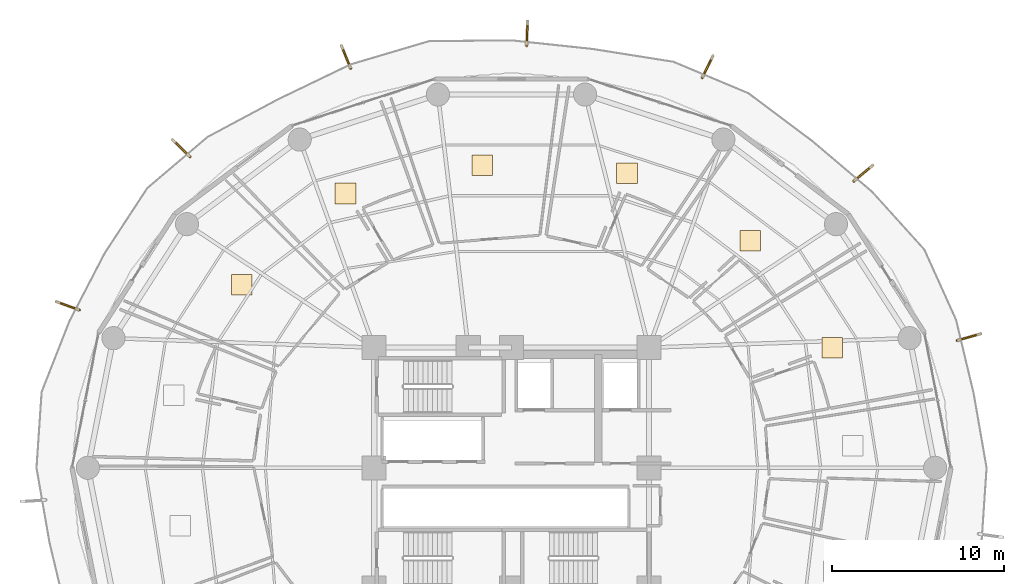
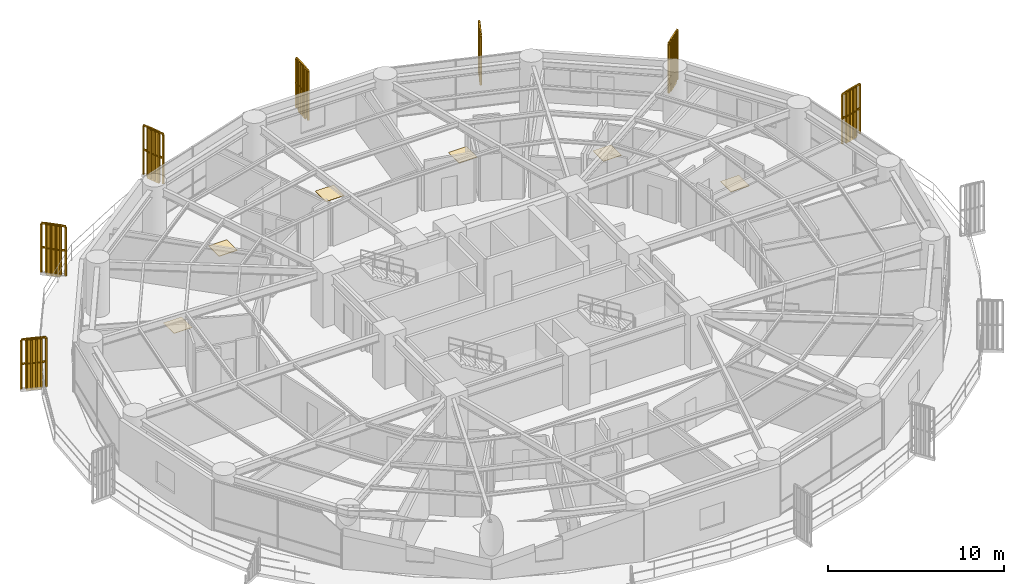
# One storey, part 34 of 34: 7 railings, 7 shading devices, 6 coverings.
"""IFC4 building model written with IfcOpenShell, lengths in metres."""

from ifc_helpers import new_model, si_unit, direction, frame, origin, origin_2d, place, context, subcontext, project, spatial, polyline, rectangle, outline, extrude, source, transform, mapped, material, layer, layer_set, type_object, element, save


model = new_model("IFC4")

# Units and contexts
model_context = context("Model", 3, precision=1e-05, world=origin(), true_north=direction((0.0, 1.0)))
body_context = subcontext(model_context, "Body", "Model", "MODEL_VIEW")
ifc_project = project(units=[si_unit("LENGTHUNIT", "METRE"), si_unit("AREAUNIT", "SQUARE_METRE"), si_unit("VOLUMEUNIT", "CUBIC_METRE"), si_unit("PLANEANGLEUNIT", "RADIAN"), si_unit("MASSUNIT", "GRAM", prefix="KILO")], contexts=[model_context])

# Site, building, storey
site_placement = place(None, origin())
site = spatial("IfcSite", under=ifc_project, at=site_placement, CompositionType="ELEMENT")
building_placement = place(site_placement, origin())
building = spatial("IfcBuilding", under=site, at=building_placement, Name="Kelanora Arch Commons", CompositionType="ELEMENT")
storey_placement = place(building_placement, frame((0.0, 0.0, 76.35009765625)))
storey = spatial("IfcBuildingStorey", under=building, at=storey_placement, Name="L19", CompositionType="ELEMENT", Elevation=76.35009765625)

# Railings
ifc_material_1 = material(Name="Anodised bronze vertical shading fin rib assembly")
railing_type = type_object("IfcRailingType", Name="RAIL-FIN-BRZ", PredefinedType="BALUSTRADE", material=ifc_material_1)
railing_1_placement = place(storey_placement, frame((93.94189453125, 74.699951171875, -0.02001953125)))
element("IfcRailing", 1, at=railing_1_placement, inside=storey, type_object=railing_type, Name="Sweeping Bronze Vertical Fin Blade L19-00", PredefinedType="BALUSTRADE", context=body_context, shape_type="SweptSolid", body=[
    extrude(outline(polyline([(0.06982421875, 0.0), (0.034912109375, 0.060546875), (-0.034912109375, 0.060546875), (-0.06982421875, 0.0), (-0.034912109375, -0.060546875), (0.034912109375, -0.060546875), (0.06982421875, 0.0)])), frame((0.0, 0.0, 3.419921875), z_axis=(0.766595437689, 0.642130387783, 0.0), x_axis=(-0.642130387783, 0.766595437689, 0.0)), (0.0, 0.0, 1.0), 1.429931640625),
    extrude(outline(polyline([(0.06982421875, 0.0), (0.034912109375, 0.060546875), (-0.034912109375, 0.060546875), (-0.06982421875, 0.0), (-0.034912109375, -0.060546875), (0.034912109375, -0.060546875), (0.06982421875, 0.0)])), frame((0.0, 0.0, 1.7451171875), z_axis=(0.766595437689, 0.642130387783, 0.0), x_axis=(-0.642130387783, 0.766595437689, 0.0)), (0.0, 0.0, 1.0), 1.429931640625),
    extrude(outline(polyline([(0.080078125, 0.0), (0.0400390625, 0.0693359375), (-0.0400390625, 0.0693359375), (-0.080078125, 0.0), (-0.0400390625, -0.0693359375), (0.0400390625, -0.0693359375), (0.080078125, 0.0)])), origin(), (0.0, 0.0, 1.0), 3.35009765625),
    extrude(outline(polyline([(0.080078125, 0.0), (0.0400390625, 0.0693359375), (-0.0400390625, 0.0693359375), (-0.080078125, 0.0), (-0.0400390625, -0.0693359375), (0.0400390625, -0.0693359375), (0.080078125, 0.0)])), frame((0.21923828125, 0.18359375, 0.0)), (0.0, 0.0, 1.0), 3.35009765625),
    extrude(outline(polyline([(0.080078125, 0.0), (0.0400390625, 0.0693359375), (-0.0400390625, 0.0693359375), (-0.080078125, 0.0), (-0.0400390625, -0.0693359375), (0.0400390625, -0.0693359375), (0.080078125, 0.0)])), frame((0.4384765625, 0.3671875, 0.0)), (0.0, 0.0, 1.0), 3.35009765625),
    extrude(outline(polyline([(0.080078125, 0.0), (0.0400390625, 0.0693359375), (-0.0400390625, 0.0693359375), (-0.080078125, 0.0), (-0.0400390625, -0.0693359375), (0.0400390625, -0.0693359375), (0.080078125, 0.0)])), frame((0.65771484375, 0.551025390625, 0.0)), (0.0, 0.0, 1.0), 3.35009765625),
    extrude(outline(polyline([(0.080078125, 0.0), (0.0400390625, 0.0693359375), (-0.0400390625, 0.0693359375), (-0.080078125, 0.0), (-0.0400390625, -0.0693359375), (0.0400390625, -0.0693359375), (0.080078125, 0.0)])), frame((0.876953125, 0.734619140625, 0.0)), (0.0, 0.0, 1.0), 3.35009765625),
    extrude(outline(polyline([(0.080078125, 0.0), (0.0400390625, 0.0693359375), (-0.0400390625, 0.0693359375), (-0.080078125, 0.0), (-0.0400390625, -0.0693359375), (0.0400390625, -0.0693359375), (0.080078125, 0.0)])), frame((1.09619140625, 0.918212890625, 0.0)), (0.0, 0.0, 1.0), 3.35009765625),
])
railing_2_placement = place(storey_placement, frame((85.10595703125, 80.714111328125, -0.02001953125)))
element("IfcRailing", 2, at=railing_2_placement, inside=storey, type_object=railing_type, Name="Sweeping Bronze Vertical Fin Blade L19-01", PredefinedType="BALUSTRADE", context=body_context, shape_type="SweptSolid", body=[
    extrude(outline(polyline([(0.06982421875, 0.0), (0.034912109375, 0.060546875), (-0.034912109375, 0.060546875), (-0.06982421875, 0.0), (-0.034912109375, -0.060546875), (0.034912109375, -0.060546875), (0.06982421875, 0.0)])), frame((0.0, 0.0, 3.419921875), z_axis=(0.439274433296, 0.898352921881, 0.0), x_axis=(-0.898352921881, 0.439274433296, 0.0)), (0.0, 0.0, 1.0), 1.429931640625),
    extrude(outline(polyline([(0.06982421875, 0.0), (0.034912109375, 0.060546875), (-0.034912109375, 0.060546875), (-0.06982421875, 0.0), (-0.034912109375, -0.060546875), (0.034912109375, -0.060546875), (0.06982421875, 0.0)])), frame((0.0, 0.0, 1.7451171875), z_axis=(0.439274433296, 0.898352921881, 0.0), x_axis=(-0.898352921881, 0.439274433296, 0.0)), (0.0, 0.0, 1.0), 1.429931640625),
    extrude(outline(polyline([(0.080078125, 0.0), (0.0400390625, 0.0693359375), (-0.0400390625, 0.0693359375), (-0.080078125, 0.0), (-0.0400390625, -0.0693359375), (0.0400390625, -0.0693359375), (0.080078125, 0.0)])), origin(), (0.0, 0.0, 1.0), 3.35009765625),
    extrude(outline(polyline([(0.080078125, 0.0), (0.0400390625, 0.0693359375), (-0.0400390625, 0.0693359375), (-0.080078125, 0.0), (-0.0400390625, -0.0693359375), (0.0400390625, -0.0693359375), (0.080078125, 0.0)])), frame((0.125732421875, 0.2568359375, 0.0)), (0.0, 0.0, 1.0), 3.35009765625),
    extrude(outline(polyline([(0.080078125, 0.0), (0.0400390625, 0.0693359375), (-0.0400390625, 0.0693359375), (-0.080078125, 0.0), (-0.0400390625, -0.0693359375), (0.0400390625, -0.0693359375), (0.080078125, 0.0)])), frame((0.251220703125, 0.513916015625, 0.0)), (0.0, 0.0, 1.0), 3.35009765625),
    extrude(outline(polyline([(0.080078125, 0.0), (0.0400390625, 0.0693359375), (-0.0400390625, 0.0693359375), (-0.080078125, 0.0), (-0.0400390625, -0.0693359375), (0.0400390625, -0.0693359375), (0.080078125, 0.0)])), frame((0.376953125, 0.770751953125, 0.0)), (0.0, 0.0, 1.0), 3.35009765625),
    extrude(outline(polyline([(0.080078125, 0.0), (0.0400390625, 0.0693359375), (-0.0400390625, 0.0693359375), (-0.080078125, 0.0), (-0.0400390625, -0.0693359375), (0.0400390625, -0.0693359375), (0.080078125, 0.0)])), frame((0.50244140625, 1.02783203125, 0.0)), (0.0, 0.0, 1.0), 3.35009765625),
    extrude(outline(polyline([(0.080078125, 0.0), (0.0400390625, 0.0693359375), (-0.0400390625, 0.0693359375), (-0.080078125, 0.0), (-0.0400390625, -0.0693359375), (0.0400390625, -0.0693359375), (0.080078125, 0.0)])), frame((0.628173828125, 1.28466796875, 0.0)), (0.0, 0.0, 1.0), 3.35009765625),
])
railing_3_placement = place(storey_placement, frame((74.8828125, 82.58984375, -0.02001953125)))
element("IfcRailing", 3, at=railing_3_placement, inside=storey, type_object=railing_type, Name="Sweeping Bronze Vertical Fin Blade L19-02", PredefinedType="BALUSTRADE", context=body_context, shape_type="SweptSolid", body=[
    extrude(outline(polyline([(0.06982421875, 0.0), (0.034912109375, 0.060546875), (-0.034912109375, 0.060546875), (-0.06982421875, 0.0), (-0.034912109375, -0.060546875), (0.034912109375, -0.060546875), (0.06982421875, 0.0)])), frame((0.0, 0.0, 3.419921875), z_axis=(0.035855965028, 0.999356968141, 0.0), x_axis=(-0.999356968141, 0.035855965028, 0.0)), (0.0, 0.0, 1.0), 1.429931640625),
    extrude(outline(polyline([(0.06982421875, 0.0), (0.034912109375, 0.060546875), (-0.034912109375, 0.060546875), (-0.06982421875, 0.0), (-0.034912109375, -0.060546875), (0.034912109375, -0.060546875), (0.06982421875, 0.0)])), frame((0.0, 0.0, 1.7451171875), z_axis=(0.035855965028, 0.999356968141, 0.0), x_axis=(-0.999356968141, 0.035855965028, 0.0)), (0.0, 0.0, 1.0), 1.429931640625),
    extrude(outline(polyline([(0.080078125, 0.0), (0.0400390625, 0.0693359375), (-0.0400390625, 0.0693359375), (-0.080078125, 0.0), (-0.0400390625, -0.0693359375), (0.0400390625, -0.0693359375), (0.080078125, 0.0)])), origin(), (0.0, 0.0, 1.0), 3.35009765625),
    extrude(outline(polyline([(0.080078125, 0.0), (0.0400390625, 0.0693359375), (-0.0400390625, 0.0693359375), (-0.080078125, 0.0), (-0.0400390625, -0.0693359375), (0.0400390625, -0.0693359375), (0.080078125, 0.0)])), frame((0.01025390625, 0.285888671875, 0.0)), (0.0, 0.0, 1.0), 3.35009765625),
    extrude(outline(polyline([(0.080078125, 0.0), (0.0400390625, 0.0693359375), (-0.0400390625, 0.0693359375), (-0.080078125, 0.0), (-0.0400390625, -0.0693359375), (0.0400390625, -0.0693359375), (0.080078125, 0.0)])), frame((0.0205078125, 0.571533203125, 0.0)), (0.0, 0.0, 1.0), 3.35009765625),
    extrude(outline(polyline([(0.080078125, 0.0), (0.0400390625, 0.0693359375), (-0.0400390625, 0.0693359375), (-0.080078125, 0.0), (-0.0400390625, -0.0693359375), (0.0400390625, -0.0693359375), (0.080078125, 0.0)])), frame((0.03076171875, 0.857421875, 0.0)), (0.0, 0.0, 1.0), 3.35009765625),
    extrude(outline(polyline([(0.080078125, 0.0), (0.0400390625, 0.0693359375), (-0.0400390625, 0.0693359375), (-0.080078125, 0.0), (-0.0400390625, -0.0693359375), (0.0400390625, -0.0693359375), (0.080078125, 0.0)])), frame((0.041015625, 1.14306640625, 0.0)), (0.0, 0.0, 1.0), 3.35009765625),
    extrude(outline(polyline([(0.080078125, 0.0), (0.0400390625, 0.0693359375), (-0.0400390625, 0.0693359375), (-0.080078125, 0.0), (-0.0400390625, -0.0693359375), (0.0400390625, -0.0693359375), (0.080078125, 0.0)])), frame((0.05126953125, 1.428955078125, 0.0)), (0.0, 0.0, 1.0), 3.35009765625),
])
railing_4_placement = place(storey_placement, frame((64.628173828125, 81.261474609375, -0.02001953125)))
element("IfcRailing", 4, at=railing_4_placement, inside=storey, type_object=railing_type, Name="Sweeping Bronze Vertical Fin Blade L19-03", PredefinedType="BALUSTRADE", context=body_context, shape_type="SweptSolid", body=[
    extrude(outline(polyline([(0.06982421875, 0.0), (0.034912109375, 0.060546875), (-0.034912109375, 0.060546875), (-0.06982421875, 0.0), (-0.034912109375, -0.060546875), (0.034912109375, -0.060546875), (0.06982421875, 0.0)])), frame((0.0, 0.0, 3.419921875), z_axis=(-0.373714890525, 0.92754362733, 0.0), x_axis=(-0.92754362733, -0.373714890525, 0.0)), (0.0, 0.0, 1.0), 1.429931640625),
    extrude(outline(polyline([(0.06982421875, 0.0), (0.034912109375, 0.060546875), (-0.034912109375, 0.060546875), (-0.06982421875, 0.0), (-0.034912109375, -0.060546875), (0.034912109375, -0.060546875), (0.06982421875, 0.0)])), frame((0.0, 0.0, 1.7451171875), z_axis=(-0.373714890525, 0.92754362733, 0.0), x_axis=(-0.92754362733, -0.373714890525, 0.0)), (0.0, 0.0, 1.0), 1.429931640625),
    extrude(outline(polyline([(0.080078125, 0.0), (0.0400390625, 0.0693359375), (-0.0400390625, 0.0693359375), (-0.080078125, 0.0), (-0.0400390625, -0.0693359375), (0.0400390625, -0.0693359375), (0.080078125, 0.0)])), origin(), (0.0, 0.0, 1.0), 3.35009765625),
    extrude(outline(polyline([(0.080078125, 0.0), (0.0400390625, 0.0693359375), (-0.0400390625, 0.0693359375), (-0.080078125, 0.0), (-0.0400390625, -0.0693359375), (0.0400390625, -0.0693359375), (0.080078125, 0.0)])), frame((-0.10693359375, 0.265380859375, 0.0)), (0.0, 0.0, 1.0), 3.35009765625),
    extrude(outline(polyline([(0.080078125, 0.0), (0.0400390625, 0.0693359375), (-0.0400390625, 0.0693359375), (-0.080078125, 0.0), (-0.0400390625, -0.0693359375), (0.0400390625, -0.0693359375), (0.080078125, 0.0)])), frame((-0.2138671875, 0.530517578125, 0.0)), (0.0, 0.0, 1.0), 3.35009765625),
    extrude(outline(polyline([(0.080078125, 0.0), (0.0400390625, 0.0693359375), (-0.0400390625, 0.0693359375), (-0.080078125, 0.0), (-0.0400390625, -0.0693359375), (0.0400390625, -0.0693359375), (0.080078125, 0.0)])), frame((-0.320556640625, 0.7958984375, 0.0)), (0.0, 0.0, 1.0), 3.35009765625),
    extrude(outline(polyline([(0.080078125, 0.0), (0.0400390625, 0.0693359375), (-0.0400390625, 0.0693359375), (-0.080078125, 0.0), (-0.0400390625, -0.0693359375), (0.0400390625, -0.0693359375), (0.080078125, 0.0)])), frame((-0.427490234375, 1.06103515625, 0.0)), (0.0, 0.0, 1.0), 3.35009765625),
    extrude(outline(polyline([(0.080078125, 0.0), (0.0400390625, 0.0693359375), (-0.0400390625, 0.0693359375), (-0.080078125, 0.0), (-0.0400390625, -0.0693359375), (0.0400390625, -0.0693359375), (0.080078125, 0.0)])), frame((-0.534423828125, 1.326416015625, 0.0)), (0.0, 0.0, 1.0), 3.35009765625),
])
railing_5_placement = place(storey_placement, frame((55.27197265625, 76.120849609375, -0.02001953125)))
element("IfcRailing", 5, at=railing_5_placement, inside=storey, type_object=railing_type, Name="Sweeping Bronze Vertical Fin Blade L19-04", PredefinedType="BALUSTRADE", context=body_context, shape_type="SweptSolid", body=[
    extrude(outline(polyline([(0.06982421875, 0.0), (0.034912109375, 0.060546875), (-0.034912109375, 0.060546875), (-0.06982421875, 0.0), (-0.034912109375, -0.060546875), (0.034912109375, -0.060546875), (0.06982421875, 0.0)])), frame((0.0, 0.0, 3.419921875), z_axis=(-0.718621407606, 0.69540151893, 0.0), x_axis=(-0.69540151893, -0.718621407606, 0.0)), (0.0, 0.0, 1.0), 1.429931640625),
    extrude(outline(polyline([(0.06982421875, 0.0), (0.034912109375, 0.060546875), (-0.034912109375, 0.060546875), (-0.06982421875, 0.0), (-0.034912109375, -0.060546875), (0.034912109375, -0.060546875), (0.06982421875, 0.0)])), frame((0.0, 0.0, 1.7451171875), z_axis=(-0.718621407606, 0.69540151893, 0.0), x_axis=(-0.69540151893, -0.718621407606, 0.0)), (0.0, 0.0, 1.0), 1.429931640625),
    extrude(outline(polyline([(0.080078125, 0.0), (0.0400390625, 0.0693359375), (-0.0400390625, 0.0693359375), (-0.080078125, 0.0), (-0.0400390625, -0.0693359375), (0.0400390625, -0.0693359375), (0.080078125, 0.0)])), origin(), (0.0, 0.0, 1.0), 3.35009765625),
    extrude(outline(polyline([(0.080078125, 0.0), (0.0400390625, 0.0693359375), (-0.0400390625, 0.0693359375), (-0.080078125, 0.0), (-0.0400390625, -0.0693359375), (0.0400390625, -0.0693359375), (0.080078125, 0.0)])), frame((-0.20556640625, 0.198974609375, 0.0)), (0.0, 0.0, 1.0), 3.35009765625),
    extrude(outline(polyline([(0.080078125, 0.0), (0.0400390625, 0.0693359375), (-0.0400390625, 0.0693359375), (-0.080078125, 0.0), (-0.0400390625, -0.0693359375), (0.0400390625, -0.0693359375), (0.080078125, 0.0)])), frame((-0.4111328125, 0.397705078125, 0.0)), (0.0, 0.0, 1.0), 3.35009765625),
    extrude(outline(polyline([(0.080078125, 0.0), (0.0400390625, 0.0693359375), (-0.0400390625, 0.0693359375), (-0.080078125, 0.0), (-0.0400390625, -0.0693359375), (0.0400390625, -0.0693359375), (0.080078125, 0.0)])), frame((-0.616455078125, 0.5966796875, 0.0)), (0.0, 0.0, 1.0), 3.35009765625),
    extrude(outline(polyline([(0.080078125, 0.0), (0.0400390625, 0.0693359375), (-0.0400390625, 0.0693359375), (-0.080078125, 0.0), (-0.0400390625, -0.0693359375), (0.0400390625, -0.0693359375), (0.080078125, 0.0)])), frame((-0.822021484375, 0.79541015625, 0.0)), (0.0, 0.0, 1.0), 3.35009765625),
    extrude(outline(polyline([(0.080078125, 0.0), (0.0400390625, 0.0693359375), (-0.0400390625, 0.0693359375), (-0.080078125, 0.0), (-0.0400390625, -0.0693359375), (0.0400390625, -0.0693359375), (0.080078125, 0.0)])), frame((-1.027587890625, 0.994384765625, 0.0)), (0.0, 0.0, 1.0), 3.35009765625),
])
railing_6_placement = place(storey_placement, frame((48.82470703125, 67.19091796875, -0.02001953125)))
element("IfcRailing", 6, at=railing_6_placement, inside=storey, type_object=railing_type, Name="Sweeping Bronze Vertical Fin Blade L19-05", PredefinedType="BALUSTRADE", context=body_context, shape_type="SweptSolid", body=[
    extrude(outline(polyline([(0.06982421875, 0.0), (0.034912109375, 0.060546875), (-0.034912109375, 0.060546875), (-0.06982421875, 0.0), (-0.034912109375, -0.060546875), (0.034912109375, -0.060546875), (0.06982421875, 0.0)])), frame((0.0, 0.0, 3.419921875), z_axis=(-0.939318896127, 0.343045203112, 0.0), x_axis=(-0.343045203112, -0.939318896127, 0.0)), (0.0, 0.0, 1.0), 1.4296875),
    extrude(outline(polyline([(0.06982421875, 0.0), (0.034912109375, 0.060546875), (-0.034912109375, 0.060546875), (-0.06982421875, 0.0), (-0.034912109375, -0.060546875), (0.034912109375, -0.060546875), (0.06982421875, 0.0)])), frame((0.0, 0.0, 1.7451171875), z_axis=(-0.939318896127, 0.343045203112, 0.0), x_axis=(-0.343045203112, -0.939318896127, 0.0)), (0.0, 0.0, 1.0), 1.4296875),
    extrude(outline(polyline([(0.080078125, 0.0), (0.0400390625, 0.0693359375), (-0.0400390625, 0.0693359375), (-0.080078125, 0.0), (-0.0400390625, -0.0693359375), (0.0400390625, -0.0693359375), (0.080078125, 0.0)])), origin(), (0.0, 0.0, 1.0), 3.35009765625),
    extrude(outline(polyline([(0.080078125, 0.0), (0.0400390625, 0.0693359375), (-0.0400390625, 0.0693359375), (-0.080078125, 0.0), (-0.0400390625, -0.0693359375), (0.0400390625, -0.0693359375), (0.080078125, 0.0)])), frame((-0.2685546875, 0.09814453125, 0.0)), (0.0, 0.0, 1.0), 3.35009765625),
    extrude(outline(polyline([(0.080078125, 0.0), (0.0400390625, 0.0693359375), (-0.0400390625, 0.0693359375), (-0.080078125, 0.0), (-0.0400390625, -0.0693359375), (0.0400390625, -0.0693359375), (0.080078125, 0.0)])), frame((-0.537109375, 0.1962890625, 0.0)), (0.0, 0.0, 1.0), 3.35009765625),
    extrude(outline(polyline([(0.080078125, 0.0), (0.0400390625, 0.0693359375), (-0.0400390625, 0.0693359375), (-0.080078125, 0.0), (-0.0400390625, -0.0693359375), (0.0400390625, -0.0693359375), (0.080078125, 0.0)])), frame((-0.805908203125, 0.294189453125, 0.0)), (0.0, 0.0, 1.0), 3.35009765625),
    extrude(outline(polyline([(0.080078125, 0.0), (0.0400390625, 0.0693359375), (-0.0400390625, 0.0693359375), (-0.080078125, 0.0), (-0.0400390625, -0.0693359375), (0.0400390625, -0.0693359375), (0.080078125, 0.0)])), frame((-1.074462890625, 0.392333984375, 0.0)), (0.0, 0.0, 1.0), 3.35009765625),
    extrude(outline(polyline([(0.080078125, 0.0), (0.0400390625, 0.0693359375), (-0.0400390625, 0.0693359375), (-0.080078125, 0.0), (-0.0400390625, -0.0693359375), (0.0400390625, -0.0693359375), (0.080078125, 0.0)])), frame((-1.343017578125, 0.490478515625, 0.0)), (0.0, 0.0, 1.0), 3.35009765625),
])
railing_7_placement = place(storey_placement, frame((99.959716796875, 65.41650390625, -0.02001953125)))
element("IfcRailing", 7, at=railing_7_placement, inside=storey, type_object=railing_type, Name="Sweeping Bronze Vertical Fin Blade L19-14", PredefinedType="BALUSTRADE", context=body_context, shape_type="SweptSolid", body=[
    extrude(outline(polyline([(0.06982421875, 0.0), (0.034912109375, 0.060546875), (-0.034912109375, 0.060546875), (-0.06982421875, 0.0), (-0.034912109375, -0.060546875), (0.034912109375, -0.060546875), (0.06982421875, 0.0)])), frame((0.0, 0.0, 3.419921875), z_axis=(0.961575473142, 0.274540724576, 0.0), x_axis=(-0.274540724576, 0.961575473142, 0.0)), (0.0, 0.0, 1.0), 1.429931640625),
    extrude(outline(polyline([(0.06982421875, 0.0), (0.034912109375, 0.060546875), (-0.034912109375, 0.060546875), (-0.06982421875, 0.0), (-0.034912109375, -0.060546875), (0.034912109375, -0.060546875), (0.06982421875, 0.0)])), frame((0.0, 0.0, 1.7451171875), z_axis=(0.961575473142, 0.274540724576, 0.0), x_axis=(-0.274540724576, 0.961575473142, 0.0)), (0.0, 0.0, 1.0), 1.429931640625),
    extrude(outline(polyline([(0.080078125, 0.0), (0.0400390625, 0.0693359375), (-0.0400390625, 0.0693359375), (-0.080078125, 0.0), (-0.0400390625, -0.0693359375), (0.0400390625, -0.0693359375), (0.080078125, 0.0)])), origin(), (0.0, 0.0, 1.0), 3.35009765625),
    extrude(outline(polyline([(0.080078125, 0.0), (0.0400390625, 0.0693359375), (-0.0400390625, 0.0693359375), (-0.080078125, 0.0), (-0.0400390625, -0.0693359375), (0.0400390625, -0.0693359375), (0.080078125, 0.0)])), frame((0.27490234375, 0.07861328125, 0.0)), (0.0, 0.0, 1.0), 3.35009765625),
    extrude(outline(polyline([(0.080078125, 0.0), (0.0400390625, 0.0693359375), (-0.0400390625, 0.0693359375), (-0.080078125, 0.0), (-0.0400390625, -0.0693359375), (0.0400390625, -0.0693359375), (0.080078125, 0.0)])), frame((0.550048828125, 0.156982421875, 0.0)), (0.0, 0.0, 1.0), 3.35009765625),
    extrude(outline(polyline([(0.080078125, 0.0), (0.0400390625, 0.0693359375), (-0.0400390625, 0.0693359375), (-0.080078125, 0.0), (-0.0400390625, -0.0693359375), (0.0400390625, -0.0693359375), (0.080078125, 0.0)])), frame((0.824951171875, 0.235595703125, 0.0)), (0.0, 0.0, 1.0), 3.35009765625),
    extrude(outline(polyline([(0.080078125, 0.0), (0.0400390625, 0.0693359375), (-0.0400390625, 0.0693359375), (-0.080078125, 0.0), (-0.0400390625, -0.0693359375), (0.0400390625, -0.0693359375), (0.080078125, 0.0)])), frame((1.10009765625, 0.31396484375, 0.0)), (0.0, 0.0, 1.0), 3.35009765625),
    extrude(outline(polyline([(0.080078125, 0.0), (0.0400390625, 0.0693359375), (-0.0400390625, 0.0693359375), (-0.080078125, 0.0), (-0.0400390625, -0.0693359375), (0.0400390625, -0.0693359375), (0.080078125, 0.0)])), frame((1.375, 0.392578125, 0.0)), (0.0, 0.0, 1.0), 3.35009765625),
])

# Shading devices
ifc_material_2 = material(Name="Terracotta ceramic-clad extruded aluminium fin", Category="masonry")
shading_device_type = type_object("IfcShadingDeviceType", Name="SHD-FIN-FLARE", PredefinedType="USERDEFINED", material=ifc_material_2)
shared_shape_1 = source(origin(), body_context, "Body", "SweptSolid", [
    extrude(rectangle(XDim=0.8798828125, YDim=0.090087890625, at=origin_2d()), origin(), (0.0, 0.0, 1.0), 3.610107421875),
])
for number, where, z_axis, x_axis, name in (
    (8, (94.493896484375, 75.162353515625, -0.14013671875), (0.0, 0.0, 1.0), (0.766717148576, 0.641985057521, 0.0), "Sweeping Terracotta Fin L19-00"),
    (9, (85.422119140625, 81.361083984375, -0.14013671875), (0.0, 0.0, 1.0), (0.439312121178, 0.898334492373, 0.0), "Sweeping Terracotta Fin L19-01"),
    (10, (74.90869140625, 83.309326171875, -0.14013671875), (0.0, 0.0, 1.0), (0.035946037002, 0.999353732381, 0.0), "Sweeping Terracotta Fin L19-02"),
    (11, (64.359130859375, 81.92919921875, -0.14013671875), (0.0, 0.0, 1.0), (-0.37363544353, 0.927575633217, 0.0), "Sweeping Terracotta Fin L19-03"),
    (12, (54.75439453125, 76.62158203125, -0.14013671875), (0.0, 0.0, 1.0), (-0.718611961505, 0.69541128031, 0.0), "Sweeping Terracotta Fin L19-04"),
    (13, (48.1484375, 67.437744140625, -0.14013671875), (0.0, 0.0, 1.0), (-0.939333942951, 0.343003999424, 0.0), "Sweeping Terracotta Fin L19-05"),
    (14, (100.65185546875, 65.614013671875, -0.14013671875), (0.0, 0.0, 1.0), (0.961549815579, 0.274630573972, 0.0), "Sweeping Terracotta Fin L19-14"),
):
    element("IfcShadingDevice", number, at=place(storey_placement, frame(where, z_axis=z_axis, x_axis=x_axis)), inside=storey, type_object=shading_device_type, Name=name, ObjectType="FIN", PredefinedType="USERDEFINED", context=body_context, shape_type="MappedRepresentation", body=[
        mapped(shared_shape_1, transform((0.0, 0.0, 0.0), scale=1.0)),
    ])

# Coverings
ifc_material_3 = material(Name="Polished local granite terrazzo flooring", Category="masonry")
ifc_layer = layer(ifc_material_3, 0.030029296875)
ifc_layer_set = layer_set([ifc_layer], Name="Polished local granite terrazzo flooring")
covering_type = type_object("IfcCoveringType", Name="COV-FLR-TER", PredefinedType="FLOORING", material=ifc_layer_set)
shared_shape_2 = source(origin(), body_context, "Body", "SweptSolid", [
    extrude(rectangle(XDim=1.199951171875, YDim=1.199951171875, at=origin_2d()), origin(), (0.0, 0.0, 1.0), 0.030029296875),
])
for number, where, z_axis, x_axis, name in (
    (15, (92.67578125, 64.986572265625, 0.0), (0.0, 0.0, 1.0), (1.0, 0.0, 0.0), "Co-Living Studio L19-01 Terrazzo Finish"),
    (16, (87.904296875, 71.218017578125, 0.0), (0.0, 0.0, 1.0), (1.0, 0.0, 0.0), "Co-Living Studio L19-02 Terrazzo Finish"),
    (17, (80.728759765625, 75.163818359375, 0.0), (0.0, 0.0, 1.0), (1.0, 0.0, 0.0), "Co-Living Studio L19-03 Terrazzo Finish"),
    (18, (72.285888671875, 75.637451171875, 0.0), (0.0, 0.0, 1.0), (1.0, 0.0, 0.0), "Communal Dining and Social Hall L19-04 Terrazzo Finish"),
    (19, (64.3291015625, 73.983154296875, 0.0), (0.0, 0.0, 1.0), (1.0, 0.0, 0.0), "Co-Living Studio L19-05 Terrazzo Finish"),
    (20, (58.2939453125, 68.6552734375, 0.0), (0.0, 0.0, 1.0), (1.0, 0.0, 0.0), "Social Sky Lounge L19-06 Terrazzo Finish"),
):
    element("IfcCovering", number, at=place(storey_placement, frame(where, z_axis=z_axis, x_axis=x_axis)), inside=storey, type_object=covering_type, Name=name, PredefinedType="FLOORING", context=body_context, shape_type="MappedRepresentation", body=[
        mapped(shared_shape_2, transform((0.0, 0.0, 0.0), scale=1.0)),
    ])

save(model, "model.ifc")
